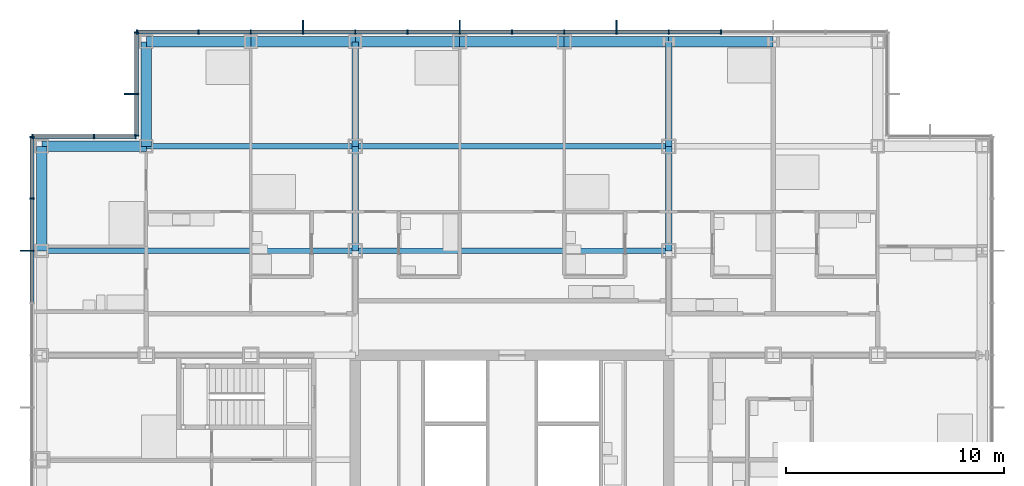
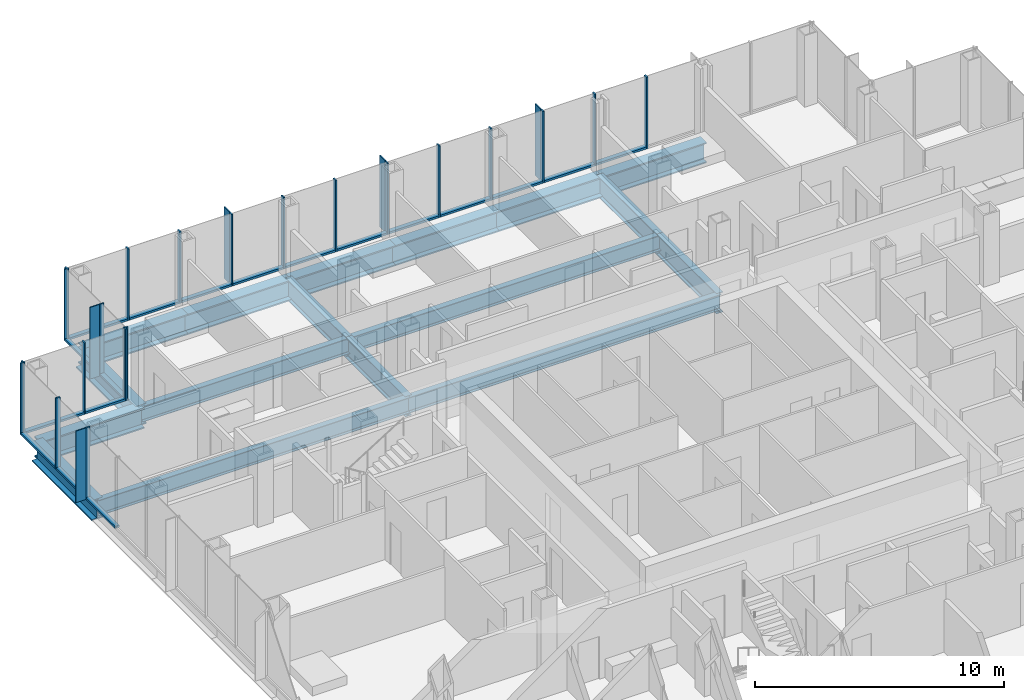
# One storey, part 10 of 21: 44 members, 17 beams, 4 elements without a shape of their own.
"""IFC4 building model written with IfcOpenShell, lengths in metres."""

from ifc_helpers import new_model, si_unit, direction, frame, origin, origin_2d, place, context, subcontext, project, spatial, rectangle, i_section, extrude, material, material_profile, profile_set, type_object, element, aggregate, save


model = new_model("IFC4")

# Units and contexts
model_context = context("Model", 3, precision=1e-05, world=origin(), true_north=direction((0.0, 1.0)))
body_context = subcontext(model_context, "Body", "Model", "MODEL_VIEW")
ifc_project = project(units=[si_unit("LENGTHUNIT", "METRE"), si_unit("AREAUNIT", "SQUARE_METRE"), si_unit("VOLUMEUNIT", "CUBIC_METRE"), si_unit("PLANEANGLEUNIT", "RADIAN"), si_unit("MASSUNIT", "GRAM", prefix="KILO")], contexts=[model_context])

# Site, building, storey
site_placement = place(None, origin())
site = spatial("IfcSite", under=ifc_project, at=site_placement, CompositionType="ELEMENT")
building_placement = place(site_placement, origin())
building = spatial("IfcBuilding", under=site, at=building_placement, Name="Kvirike Care Tower", CompositionType="ELEMENT")
storey_placement = place(building_placement, frame((0.0, 0.0, 41.0)))
storey = spatial("IfcBuildingStorey", under=building, at=storey_placement, Name="L10", CompositionType="ELEMENT", Elevation=41.0)

# Curtain wall, member
ifc_material_1 = material(Name="Anodised aluminium stick system", Category="aluminium")
curtain_wall_type = type_object("IfcCurtainWallType", Name="CW-A STICK CURTAIN WALL", PredefinedType="NOTDEFINED", material=ifc_material_1)
curtain_wall_1_placement = place(storey_placement, origin())
curtain_wall_1 = element("IfcCurtainWall", 1, at=curtain_wall_1_placement, inside=storey, type_object=curtain_wall_type, Name="Curtain wall L10 face 1", PredefinedType="NOTDEFINED")
ifc_material_2 = material(Name="Bronze anodised aluminium fin", Category="aluminium")
ifc_material_profile_1 = material_profile(ifc_material_2, rectangle(XDim=0.050048828125, YDim=0.449951171875, at=origin_2d()), Name="BRONZE FIN 450")
ifc_profile_set_1 = profile_set([ifc_material_profile_1], Name="Bronze anodised aluminium fin")
member_type_1 = type_object("IfcMemberType", Name="BRONZE FIN 450", PredefinedType="USERDEFINED", material=ifc_profile_set_1)
member_1_placement = place(storey_placement, frame((-0.77490234375, 48.0, 0.0), z_axis=(0.0, 0.0, 1.0), x_axis=(0.0, -1.0, 0.0)))
member_1 = element("IfcMember", 2, at=member_1_placement, type_object=member_type_1, Name="Bronze fin L10 face 1.3", ObjectType="FIN", PredefinedType="USERDEFINED", context=body_context, shape_type="SweptSolid", body=[
    extrude(rectangle(XDim=0.050048828125, YDim=0.449951171875, at=origin_2d()), origin(), (0.0, 0.0, 1.0), 3.5),
])

# Curtain wall, members
curtain_wall_2_placement = place(storey_placement, origin())
curtain_wall_2 = element("IfcCurtainWall", 3, at=curtain_wall_2_placement, inside=storey, type_object=curtain_wall_type, Name="Curtain wall L10 face 10", PredefinedType="NOTDEFINED")
member_2_placement = place(storey_placement, frame((26.39990234375, 58.375, 0.0), z_axis=(0.0, 0.0, 1.0), x_axis=(-1.0, 0.0, 0.0)))
member_2 = element("IfcMember", 4, at=member_2_placement, type_object=member_type_1, Name="Bronze fin L10 face 10.6", ObjectType="FIN", PredefinedType="USERDEFINED", context=body_context, shape_type="SweptSolid", body=[
    extrude(rectangle(XDim=0.050048828125, YDim=0.449951171875, at=origin_2d()), origin(), (0.0, 0.0, 1.0), 3.5),
])
member_3_placement = place(storey_placement, frame((19.199951171875, 58.375, 0.0), z_axis=(0.0, 0.0, 1.0), x_axis=(-1.0, 0.0, 0.0)))
member_3 = element("IfcMember", 5, at=member_3_placement, type_object=member_type_1, Name="Bronze fin L10 face 10.9", ObjectType="FIN", PredefinedType="USERDEFINED", context=body_context, shape_type="SweptSolid", body=[
    extrude(rectangle(XDim=0.050048828125, YDim=0.449951171875, at=origin_2d()), origin(), (0.0, 0.0, 1.0), 3.5),
])
member_4_placement = place(storey_placement, frame((12.0, 58.375, 0.0), z_axis=(0.0, 0.0, 1.0), x_axis=(-1.0, 0.0, 0.0)))
member_4 = element("IfcMember", 6, at=member_4_placement, type_object=member_type_1, Name="Bronze fin L10 face 10.12", ObjectType="FIN", PredefinedType="USERDEFINED", context=body_context, shape_type="SweptSolid", body=[
    extrude(rectangle(XDim=0.050048828125, YDim=0.449951171875, at=origin_2d()), origin(), (0.0, 0.0, 1.0), 3.5),
])

# Curtain wall, member
curtain_wall_3_placement = place(storey_placement, origin())
curtain_wall_3 = element("IfcCurtainWall", 7, at=curtain_wall_3_placement, inside=storey, type_object=curtain_wall_type, Name="Curtain wall L10 face 11", PredefinedType="NOTDEFINED")
member_5_placement = place(storey_placement, frame((4.02490234375, 55.199951171875, 0.0), z_axis=(0.0, 0.0, 1.0), x_axis=(0.0, -1.0, 0.0)))
member_5 = element("IfcMember", 8, at=member_5_placement, type_object=member_type_1, Name="Bronze fin L10 face 11.2", ObjectType="FIN", PredefinedType="USERDEFINED", context=body_context, shape_type="SweptSolid", body=[
    extrude(rectangle(XDim=0.050048828125, YDim=0.449951171875, at=origin_2d()), origin(), (0.0, 0.0, 1.0), 3.5),
])

# Member
ifc_material_3 = material(Name="Bronze anodised aluminium mullion", Category="aluminium")
ifc_material_profile_2 = material_profile(ifc_material_3, rectangle(XDim=0.06494140625, YDim=0.199951171875, at=origin_2d()), Name="CW-A MULLION 65x200")
ifc_profile_set_2 = profile_set([ifc_material_profile_2], Name="Bronze anodised aluminium mullion")
member_type_2 = type_object("IfcMemberType", Name="CW-A MULLION 65x200", PredefinedType="MULLION", material=ifc_profile_set_2)
member_6_placement = place(storey_placement, frame((-0.449951171875, 53.217529296875, 0.0), z_axis=(0.0, 0.0, 1.0), x_axis=(0.0, -1.0, 0.0)))
member_6 = element("IfcMember", 9, at=member_6_placement, type_object=member_type_2, Name="CW-A mullion L10 face 1.1", PredefinedType="MULLION", context=body_context, shape_type="SweptSolid", body=[
    extrude(rectangle(XDim=0.06494140625, YDim=0.199951171875, at=origin_2d()), origin(), (0.0, 0.0, 1.0), 3.5),
])

member_7_placement = place(storey_placement, frame((-0.449951171875, 50.39990234375, 0.0), z_axis=(0.0, 0.0, 1.0), x_axis=(0.0, -1.0, 0.0)))
member_7 = element("IfcMember", 10, at=member_7_placement, type_object=member_type_2, Name="CW-A mullion L10 face 1.2", PredefinedType="MULLION", context=body_context, shape_type="SweptSolid", body=[
    extrude(rectangle(XDim=0.06494140625, YDim=0.199951171875, at=origin_2d()), origin(), (0.0, 0.0, 1.0), 3.5),
])

member_8_placement = place(storey_placement, frame((-0.449951171875, 48.0, 0.0), z_axis=(0.0, 0.0, 1.0), x_axis=(0.0, -1.0, 0.0)))
member_8 = element("IfcMember", 11, at=member_8_placement, type_object=member_type_2, Name="CW-A mullion L10 face 1.3", PredefinedType="MULLION", context=body_context, shape_type="SweptSolid", body=[
    extrude(rectangle(XDim=0.06494140625, YDim=0.199951171875, at=origin_2d()), origin(), (0.0, 0.0, 1.0), 3.5),
])

member_9_placement = place(storey_placement, frame((31.199951171875, 58.050048828125, 0.0), z_axis=(0.0, 0.0, 1.0), x_axis=(-1.0, 0.0, 0.0)))
member_9 = element("IfcMember", 12, at=member_9_placement, type_object=member_type_2, Name="CW-A mullion L10 face 10.4", PredefinedType="MULLION", context=body_context, shape_type="SweptSolid", body=[
    extrude(rectangle(XDim=0.06494140625, YDim=0.199951171875, at=origin_2d()), origin(), (0.0, 0.0, 1.0), 3.5),
])

member_10_placement = place(storey_placement, frame((28.800048828125, 58.050048828125, 0.0), z_axis=(0.0, 0.0, 1.0), x_axis=(-1.0, 0.0, 0.0)))
member_10 = element("IfcMember", 13, at=member_10_placement, type_object=member_type_2, Name="CW-A mullion L10 face 10.5", PredefinedType="MULLION", context=body_context, shape_type="SweptSolid", body=[
    extrude(rectangle(XDim=0.06494140625, YDim=0.199951171875, at=origin_2d()), origin(), (0.0, 0.0, 1.0), 3.5),
])

member_11_placement = place(storey_placement, frame((26.39990234375, 58.050048828125, 0.0), z_axis=(0.0, 0.0, 1.0), x_axis=(-1.0, 0.0, 0.0)))
member_11 = element("IfcMember", 14, at=member_11_placement, type_object=member_type_2, Name="CW-A mullion L10 face 10.6", PredefinedType="MULLION", context=body_context, shape_type="SweptSolid", body=[
    extrude(rectangle(XDim=0.06494140625, YDim=0.199951171875, at=origin_2d()), origin(), (0.0, 0.0, 1.0), 3.5),
])

member_12_placement = place(storey_placement, frame((24.0, 58.050048828125, 0.0), z_axis=(0.0, 0.0, 1.0), x_axis=(-1.0, 0.0, 0.0)))
member_12 = element("IfcMember", 15, at=member_12_placement, type_object=member_type_2, Name="CW-A mullion L10 face 10.7", PredefinedType="MULLION", context=body_context, shape_type="SweptSolid", body=[
    extrude(rectangle(XDim=0.06494140625, YDim=0.199951171875, at=origin_2d()), origin(), (0.0, 0.0, 1.0), 3.5),
])

member_13_placement = place(storey_placement, frame((21.60009765625, 58.050048828125, 0.0), z_axis=(0.0, 0.0, 1.0), x_axis=(-1.0, 0.0, 0.0)))
member_13 = element("IfcMember", 16, at=member_13_placement, type_object=member_type_2, Name="CW-A mullion L10 face 10.8", PredefinedType="MULLION", context=body_context, shape_type="SweptSolid", body=[
    extrude(rectangle(XDim=0.06494140625, YDim=0.199951171875, at=origin_2d()), origin(), (0.0, 0.0, 1.0), 3.5),
])

member_14_placement = place(storey_placement, frame((19.199951171875, 58.050048828125, 0.0), z_axis=(0.0, 0.0, 1.0), x_axis=(-1.0, 0.0, 0.0)))
member_14 = element("IfcMember", 17, at=member_14_placement, type_object=member_type_2, Name="CW-A mullion L10 face 10.9", PredefinedType="MULLION", context=body_context, shape_type="SweptSolid", body=[
    extrude(rectangle(XDim=0.06494140625, YDim=0.199951171875, at=origin_2d()), origin(), (0.0, 0.0, 1.0), 3.5),
])

member_15_placement = place(storey_placement, frame((16.800048828125, 58.050048828125, 0.0), z_axis=(0.0, 0.0, 1.0), x_axis=(-1.0, 0.0, 0.0)))
member_15 = element("IfcMember", 18, at=member_15_placement, type_object=member_type_2, Name="CW-A mullion L10 face 10.10", PredefinedType="MULLION", context=body_context, shape_type="SweptSolid", body=[
    extrude(rectangle(XDim=0.06494140625, YDim=0.199951171875, at=origin_2d()), origin(), (0.0, 0.0, 1.0), 3.5),
])

member_16_placement = place(storey_placement, frame((14.39990234375, 58.050048828125, 0.0), z_axis=(0.0, 0.0, 1.0), x_axis=(-1.0, 0.0, 0.0)))
member_16 = element("IfcMember", 19, at=member_16_placement, type_object=member_type_2, Name="CW-A mullion L10 face 10.11", PredefinedType="MULLION", context=body_context, shape_type="SweptSolid", body=[
    extrude(rectangle(XDim=0.06494140625, YDim=0.199951171875, at=origin_2d()), origin(), (0.0, 0.0, 1.0), 3.5),
])

member_17_placement = place(storey_placement, frame((12.0, 58.050048828125, 0.0), z_axis=(0.0, 0.0, 1.0), x_axis=(-1.0, 0.0, 0.0)))
member_17 = element("IfcMember", 20, at=member_17_placement, type_object=member_type_2, Name="CW-A mullion L10 face 10.12", PredefinedType="MULLION", context=body_context, shape_type="SweptSolid", body=[
    extrude(rectangle(XDim=0.06494140625, YDim=0.199951171875, at=origin_2d()), origin(), (0.0, 0.0, 1.0), 3.5),
])

member_18_placement = place(storey_placement, frame((9.60009765625, 58.050048828125, 0.0), z_axis=(0.0, 0.0, 1.0), x_axis=(-1.0, 0.0, 0.0)))
member_18 = element("IfcMember", 21, at=member_18_placement, type_object=member_type_2, Name="CW-A mullion L10 face 10.13", PredefinedType="MULLION", context=body_context, shape_type="SweptSolid", body=[
    extrude(rectangle(XDim=0.06494140625, YDim=0.199951171875, at=origin_2d()), origin(), (0.0, 0.0, 1.0), 3.5),
])

member_19_placement = place(storey_placement, frame((7.199951171875, 58.050048828125, 0.0), z_axis=(0.0, 0.0, 1.0), x_axis=(-1.0, 0.0, 0.0)))
member_19 = element("IfcMember", 22, at=member_19_placement, type_object=member_type_2, Name="CW-A mullion L10 face 10.14", PredefinedType="MULLION", context=body_context, shape_type="SweptSolid", body=[
    extrude(rectangle(XDim=0.06494140625, YDim=0.199951171875, at=origin_2d()), origin(), (0.0, 0.0, 1.0), 3.5),
])

member_20_placement = place(storey_placement, frame((4.382568359375, 58.050048828125, 0.0), z_axis=(0.0, 0.0, 1.0), x_axis=(-1.0, 0.0, 0.0)))
member_20 = element("IfcMember", 23, at=member_20_placement, type_object=member_type_2, Name="CW-A mullion L10 face 10.15", PredefinedType="MULLION", context=body_context, shape_type="SweptSolid", body=[
    extrude(rectangle(XDim=0.06494140625, YDim=0.199951171875, at=origin_2d()), origin(), (0.0, 0.0, 1.0), 3.5),
])

member_21_placement = place(storey_placement, frame((4.35009765625, 58.017578125, 0.0), z_axis=(0.0, 0.0, 1.0), x_axis=(0.0, -1.0, 0.0)))
member_21 = element("IfcMember", 24, at=member_21_placement, type_object=member_type_2, Name="CW-A mullion L10 face 11.1", PredefinedType="MULLION", context=body_context, shape_type="SweptSolid", body=[
    extrude(rectangle(XDim=0.06494140625, YDim=0.199951171875, at=origin_2d()), origin(), (0.0, 0.0, 1.0), 3.5),
])

member_22_placement = place(storey_placement, frame((4.35009765625, 55.199951171875, 0.0), z_axis=(0.0, 0.0, 1.0), x_axis=(0.0, -1.0, 0.0)))
member_22 = element("IfcMember", 25, at=member_22_placement, type_object=member_type_2, Name="CW-A mullion L10 face 11.2", PredefinedType="MULLION", context=body_context, shape_type="SweptSolid", body=[
    extrude(rectangle(XDim=0.06494140625, YDim=0.199951171875, at=origin_2d()), origin(), (0.0, 0.0, 1.0), 3.5),
])

member_23_placement = place(storey_placement, frame((4.35009765625, 53.282470703125, 0.0), z_axis=(0.0, 0.0, 1.0), x_axis=(0.0, -1.0, 0.0)))
member_23 = element("IfcMember", 26, at=member_23_placement, type_object=member_type_2, Name="CW-A mullion L10 face 11.3", PredefinedType="MULLION", context=body_context, shape_type="SweptSolid", body=[
    extrude(rectangle(XDim=0.06494140625, YDim=0.199951171875, at=origin_2d()), origin(), (0.0, 0.0, 1.0), 3.5),
])

# Curtain wall, members
curtain_wall_4_placement = place(storey_placement, origin())
curtain_wall_4 = element("IfcCurtainWall", 27, at=curtain_wall_4_placement, inside=storey, type_object=curtain_wall_type, Name="Curtain wall L10 face 12", PredefinedType="NOTDEFINED")
member_24_placement = place(storey_placement, frame((4.3173828125, 53.25, 0.0), z_axis=(0.0, 0.0, 1.0), x_axis=(-1.0, 0.0, 0.0)))
member_24 = element("IfcMember", 28, at=member_24_placement, type_object=member_type_2, Name="CW-A mullion L10 face 12.1", PredefinedType="MULLION", context=body_context, shape_type="SweptSolid", body=[
    extrude(rectangle(XDim=0.06494140625, YDim=0.199951171875, at=origin_2d()), origin(), (0.0, 0.0, 1.0), 3.5),
])
member_25_placement = place(storey_placement, frame((2.39990234375, 53.25, 0.0), z_axis=(0.0, 0.0, 1.0), x_axis=(-1.0, 0.0, 0.0)))
member_25 = element("IfcMember", 29, at=member_25_placement, type_object=member_type_2, Name="CW-A mullion L10 face 12.2", PredefinedType="MULLION", context=body_context, shape_type="SweptSolid", body=[
    extrude(rectangle(XDim=0.06494140625, YDim=0.199951171875, at=origin_2d()), origin(), (0.0, 0.0, 1.0), 3.5),
])
member_26_placement = place(storey_placement, frame((-0.41748046875, 53.25, 0.0), z_axis=(0.0, 0.0, 1.0), x_axis=(-1.0, 0.0, 0.0)))
member_26 = element("IfcMember", 30, at=member_26_placement, type_object=member_type_2, Name="CW-A mullion L10 face 12.3", PredefinedType="MULLION", context=body_context, shape_type="SweptSolid", body=[
    extrude(rectangle(XDim=0.06494140625, YDim=0.199951171875, at=origin_2d()), origin(), (0.0, 0.0, 1.0), 3.5),
])

# Member
ifc_material_4 = material(Name="Bronze anodised aluminium transom", Category="aluminium")
ifc_material_profile_3 = material_profile(ifc_material_4, rectangle(XDim=0.199951171875, YDim=0.10009765625, at=origin_2d()), Name="CW-A TRANSOM 200x100")
ifc_profile_set_3 = profile_set([ifc_material_profile_3], Name="Bronze anodised aluminium transom")
member_type_3 = type_object("IfcMemberType", Name="CW-A TRANSOM 200x100", PredefinedType="USERDEFINED", material=ifc_profile_set_3)
member_27_placement = place(storey_placement, frame((-0.449951171875, 53.18505859375, 0.050048828125), z_axis=(0.0, -1.0, 0.0), x_axis=(1.0, 0.0, 0.0)))
member_27 = element("IfcMember", 31, at=member_27_placement, type_object=member_type_3, Name="CW-A sill transom L10 face 1.1", ObjectType="TRANSOM", PredefinedType="USERDEFINED", context=body_context, shape_type="SweptSolid", body=[
    extrude(rectangle(XDim=0.199951171875, YDim=0.10009765625, at=origin_2d()), origin(), (0.0, 0.0, 1.0), 2.75244140625),
])

member_28_placement = place(storey_placement, frame((-0.449951171875, 50.367431640625, 0.050048828125), z_axis=(0.0, -1.0, 0.0), x_axis=(1.0, 0.0, 0.0)))
member_28 = element("IfcMember", 32, at=member_28_placement, type_object=member_type_3, Name="CW-A sill transom L10 face 1.2", ObjectType="TRANSOM", PredefinedType="USERDEFINED", context=body_context, shape_type="SweptSolid", body=[
    extrude(rectangle(XDim=0.199951171875, YDim=0.10009765625, at=origin_2d()), origin(), (0.0, 0.0, 1.0), 2.3349609375),
])

member_29_placement = place(storey_placement, frame((-0.449951171875, 47.967529296875, 0.050048828125), z_axis=(0.0, -1.0, 0.0), x_axis=(1.0, 0.0, 0.0)))
member_29 = element("IfcMember", 33, at=member_29_placement, type_object=member_type_3, Name="CW-A sill transom L10 face 1.3", ObjectType="TRANSOM", PredefinedType="USERDEFINED", context=body_context, shape_type="SweptSolid", body=[
    extrude(rectangle(XDim=0.199951171875, YDim=0.10009765625, at=origin_2d()), origin(), (0.0, 0.0, 1.0), 2.3349609375),
])

aggregate(curtain_wall_1, [member_6, member_7, member_8, member_1, member_27, member_28, member_29])

member_30_placement = place(storey_placement, frame((31.16748046875, 58.050048828125, 0.050048828125), z_axis=(-1.0, 0.0, 0.0), x_axis=(0.0, -1.0, 0.0)))
member_30 = element("IfcMember", 34, at=member_30_placement, type_object=member_type_3, Name="CW-A sill transom L10 face 10.4", ObjectType="TRANSOM", PredefinedType="USERDEFINED", context=body_context, shape_type="SweptSolid", body=[
    extrude(rectangle(XDim=0.199951171875, YDim=0.10009765625, at=origin_2d()), origin(), (0.0, 0.0, 1.0), 2.3349609375),
])

member_31_placement = place(storey_placement, frame((28.767578125, 58.050048828125, 0.050048828125), z_axis=(-1.0, 0.0, 0.0), x_axis=(0.0, -1.0, 0.0)))
member_31 = element("IfcMember", 35, at=member_31_placement, type_object=member_type_3, Name="CW-A sill transom L10 face 10.5", ObjectType="TRANSOM", PredefinedType="USERDEFINED", context=body_context, shape_type="SweptSolid", body=[
    extrude(rectangle(XDim=0.199951171875, YDim=0.10009765625, at=origin_2d()), origin(), (0.0, 0.0, 1.0), 2.3349609375),
])

member_32_placement = place(storey_placement, frame((26.367431640625, 58.050048828125, 0.050048828125), z_axis=(-1.0, 0.0, 0.0), x_axis=(0.0, -1.0, 0.0)))
member_32 = element("IfcMember", 36, at=member_32_placement, type_object=member_type_3, Name="CW-A sill transom L10 face 10.6", ObjectType="TRANSOM", PredefinedType="USERDEFINED", context=body_context, shape_type="SweptSolid", body=[
    extrude(rectangle(XDim=0.199951171875, YDim=0.10009765625, at=origin_2d()), origin(), (0.0, 0.0, 1.0), 2.3349609375),
])

member_33_placement = place(storey_placement, frame((23.967529296875, 58.050048828125, 0.050048828125), z_axis=(-1.0, 0.0, 0.0), x_axis=(0.0, -1.0, 0.0)))
member_33 = element("IfcMember", 37, at=member_33_placement, type_object=member_type_3, Name="CW-A sill transom L10 face 10.7", ObjectType="TRANSOM", PredefinedType="USERDEFINED", context=body_context, shape_type="SweptSolid", body=[
    extrude(rectangle(XDim=0.199951171875, YDim=0.10009765625, at=origin_2d()), origin(), (0.0, 0.0, 1.0), 2.3349609375),
])

member_34_placement = place(storey_placement, frame((21.5673828125, 58.050048828125, 0.050048828125), z_axis=(-1.0, 0.0, 0.0), x_axis=(0.0, -1.0, 0.0)))
member_34 = element("IfcMember", 38, at=member_34_placement, type_object=member_type_3, Name="CW-A sill transom L10 face 10.8", ObjectType="TRANSOM", PredefinedType="USERDEFINED", context=body_context, shape_type="SweptSolid", body=[
    extrude(rectangle(XDim=0.199951171875, YDim=0.10009765625, at=origin_2d()), origin(), (0.0, 0.0, 1.0), 2.3349609375),
])

member_35_placement = place(storey_placement, frame((19.16748046875, 58.050048828125, 0.050048828125), z_axis=(-1.0, 0.0, 0.0), x_axis=(0.0, -1.0, 0.0)))
member_35 = element("IfcMember", 39, at=member_35_placement, type_object=member_type_3, Name="CW-A sill transom L10 face 10.9", ObjectType="TRANSOM", PredefinedType="USERDEFINED", context=body_context, shape_type="SweptSolid", body=[
    extrude(rectangle(XDim=0.199951171875, YDim=0.10009765625, at=origin_2d()), origin(), (0.0, 0.0, 1.0), 2.3349609375),
])

member_36_placement = place(storey_placement, frame((16.767578125, 58.050048828125, 0.050048828125), z_axis=(-1.0, 0.0, 0.0), x_axis=(0.0, -1.0, 0.0)))
member_36 = element("IfcMember", 40, at=member_36_placement, type_object=member_type_3, Name="CW-A sill transom L10 face 10.10", ObjectType="TRANSOM", PredefinedType="USERDEFINED", context=body_context, shape_type="SweptSolid", body=[
    extrude(rectangle(XDim=0.199951171875, YDim=0.10009765625, at=origin_2d()), origin(), (0.0, 0.0, 1.0), 2.3349609375),
])

member_37_placement = place(storey_placement, frame((14.367431640625, 58.050048828125, 0.050048828125), z_axis=(-1.0, 0.0, 0.0), x_axis=(0.0, -1.0, 0.0)))
member_37 = element("IfcMember", 41, at=member_37_placement, type_object=member_type_3, Name="CW-A sill transom L10 face 10.11", ObjectType="TRANSOM", PredefinedType="USERDEFINED", context=body_context, shape_type="SweptSolid", body=[
    extrude(rectangle(XDim=0.199951171875, YDim=0.10009765625, at=origin_2d()), origin(), (0.0, 0.0, 1.0), 2.3349609375),
])

member_38_placement = place(storey_placement, frame((11.967529296875, 58.050048828125, 0.050048828125), z_axis=(-1.0, 0.0, 0.0), x_axis=(0.0, -1.0, 0.0)))
member_38 = element("IfcMember", 42, at=member_38_placement, type_object=member_type_3, Name="CW-A sill transom L10 face 10.12", ObjectType="TRANSOM", PredefinedType="USERDEFINED", context=body_context, shape_type="SweptSolid", body=[
    extrude(rectangle(XDim=0.199951171875, YDim=0.10009765625, at=origin_2d()), origin(), (0.0, 0.0, 1.0), 2.3349609375),
])

member_39_placement = place(storey_placement, frame((9.5673828125, 58.050048828125, 0.050048828125), z_axis=(-1.0, 0.0, 0.0), x_axis=(0.0, -1.0, 0.0)))
member_39 = element("IfcMember", 43, at=member_39_placement, type_object=member_type_3, Name="CW-A sill transom L10 face 10.13", ObjectType="TRANSOM", PredefinedType="USERDEFINED", context=body_context, shape_type="SweptSolid", body=[
    extrude(rectangle(XDim=0.199951171875, YDim=0.10009765625, at=origin_2d()), origin(), (0.0, 0.0, 1.0), 2.3349609375),
])

member_40_placement = place(storey_placement, frame((7.16748046875, 58.050048828125, 0.050048828125), z_axis=(-1.0, 0.0, 0.0), x_axis=(0.0, -1.0, 0.0)))
member_40 = element("IfcMember", 44, at=member_40_placement, type_object=member_type_3, Name="CW-A sill transom L10 face 10.14", ObjectType="TRANSOM", PredefinedType="USERDEFINED", context=body_context, shape_type="SweptSolid", body=[
    extrude(rectangle(XDim=0.199951171875, YDim=0.10009765625, at=origin_2d()), origin(), (0.0, 0.0, 1.0), 2.75244140625),
])

aggregate(curtain_wall_2, [member_9, member_10, member_11, member_2, member_12, member_13, member_14, member_3, member_15, member_16, member_17, member_4, member_18, member_19, member_20, member_30, member_31, member_32, member_33, member_34, member_35, member_36, member_37, member_38, member_39, member_40])

member_41_placement = place(storey_placement, frame((4.35009765625, 57.985107421875, 0.050048828125), z_axis=(0.0, -1.0, 0.0), x_axis=(1.0, 0.0, 0.0)))
member_41 = element("IfcMember", 45, at=member_41_placement, type_object=member_type_3, Name="CW-A sill transom L10 face 11.1", ObjectType="TRANSOM", PredefinedType="USERDEFINED", context=body_context, shape_type="SweptSolid", body=[
    extrude(rectangle(XDim=0.199951171875, YDim=0.10009765625, at=origin_2d()), origin(), (0.0, 0.0, 1.0), 2.752685546875),
])

member_42_placement = place(storey_placement, frame((4.35009765625, 55.16748046875, 0.050048828125), z_axis=(0.0, -1.0, 0.0), x_axis=(1.0, 0.0, 0.0)))
member_42 = element("IfcMember", 46, at=member_42_placement, type_object=member_type_3, Name="CW-A sill transom L10 face 11.2", ObjectType="TRANSOM", PredefinedType="USERDEFINED", context=body_context, shape_type="SweptSolid", body=[
    extrude(rectangle(XDim=0.199951171875, YDim=0.10009765625, at=origin_2d()), origin(), (0.0, 0.0, 1.0), 1.8525390625),
])

aggregate(curtain_wall_3, [member_21, member_22, member_5, member_23, member_41, member_42])

member_43_placement = place(storey_placement, frame((4.284912109375, 53.25, 0.050048828125), z_axis=(-1.0, 0.0, 0.0), x_axis=(0.0, -1.0, 0.0)))
member_43 = element("IfcMember", 47, at=member_43_placement, type_object=member_type_3, Name="CW-A sill transom L10 face 12.1", ObjectType="TRANSOM", PredefinedType="USERDEFINED", context=body_context, shape_type="SweptSolid", body=[
    extrude(rectangle(XDim=0.199951171875, YDim=0.10009765625, at=origin_2d()), origin(), (0.0, 0.0, 1.0), 1.852294921875),
])

member_44_placement = place(storey_placement, frame((2.367431640625, 53.25, 0.050048828125), z_axis=(-1.0, 0.0, 0.0), x_axis=(0.0, -1.0, 0.0)))
member_44 = element("IfcMember", 48, at=member_44_placement, type_object=member_type_3, Name="CW-A sill transom L10 face 12.2", ObjectType="TRANSOM", PredefinedType="USERDEFINED", context=body_context, shape_type="SweptSolid", body=[
    extrude(rectangle(XDim=0.199951171875, YDim=0.10009765625, at=origin_2d()), origin(), (0.0, 0.0, 1.0), 2.75244140625),
])

aggregate(curtain_wall_4, [member_24, member_25, member_26, member_43, member_44])

# Beams
ifc_material_5 = material(Name="Steel S355", Category="steel")
ifc_material_profile_4 = material_profile(ifc_material_5, i_section(OverallWidth=0.26806640625, OverallDepth=0.77001953125, WebThickness=0.015625, FlangeThickness=0.025390625, FilletRadius=0.01708984375, at=origin_2d()), Name="IPE 750x196")
ifc_profile_set_4 = profile_set([ifc_material_profile_4], Name="Steel S355")
beam_type_1 = type_object("IfcBeamType", Name="FLOOR BEAM IPE 750x196", PredefinedType="BEAM", material=ifc_profile_set_4)
beam_1_placement = place(storey_placement, frame((0.0, 48.0, -0.554931640625), z_axis=(1.0, 0.0, 0.0), x_axis=(0.0, 1.0, 0.0)))
element("IfcBeam", 49, at=beam_1_placement, inside=storey, type_object=beam_type_1, Name="Floor Beam L3-L6 L10", PredefinedType="BEAM", context=body_context, shape_type="SweptSolid", body=[
    extrude(i_section(OverallWidth=0.26806640625, OverallDepth=0.77001953125, WebThickness=0.015625, FlangeThickness=0.025390625, FilletRadius=0.01708984375, at=origin_2d()), origin(), (0.0, 0.0, 1.0), 14.39990234375),
])
beam_2_placement = place(storey_placement, frame((14.39990234375, 48.0, -0.554931640625), z_axis=(1.0, 0.0, 0.0), x_axis=(0.0, 1.0, 0.0)))
element("IfcBeam", 50, at=beam_2_placement, inside=storey, type_object=beam_type_1, Name="Floor Beam L6-L9 L10", PredefinedType="BEAM", context=body_context, shape_type="SweptSolid", body=[
    extrude(i_section(OverallWidth=0.26806640625, OverallDepth=0.77001953125, WebThickness=0.015625, FlangeThickness=0.025390625, FilletRadius=0.01708984375, at=origin_2d()), origin(), (0.0, 0.0, 1.0), 14.400146484375),
])
beam_3_placement = place(storey_placement, frame((4.800048828125, 52.800048828125, -0.554931640625), z_axis=(1.0, 0.0, 0.0), x_axis=(0.0, 1.0, 0.0)))
element("IfcBeam", 51, at=beam_3_placement, inside=storey, type_object=beam_type_1, Name="Floor Beam M4-M6 L10", PredefinedType="BEAM", context=body_context, shape_type="SweptSolid", body=[
    extrude(i_section(OverallWidth=0.26806640625, OverallDepth=0.77001953125, WebThickness=0.015625, FlangeThickness=0.025390625, FilletRadius=0.01708984375, at=origin_2d()), origin(), (0.0, 0.0, 1.0), 9.599853515625),
])
beam_4_placement = place(storey_placement, frame((14.39990234375, 52.800048828125, -0.554931640625), z_axis=(1.0, 0.0, 0.0), x_axis=(0.0, 1.0, 0.0)))
element("IfcBeam", 52, at=beam_4_placement, inside=storey, type_object=beam_type_1, Name="Floor Beam M6-M9 L10", PredefinedType="BEAM", context=body_context, shape_type="SweptSolid", body=[
    extrude(i_section(OverallWidth=0.26806640625, OverallDepth=0.77001953125, WebThickness=0.015625, FlangeThickness=0.025390625, FilletRadius=0.01708984375, at=origin_2d()), origin(), (0.0, 0.0, 1.0), 14.400146484375),
])
ifc_material_6 = material(Name="Steel S355", Category="steel")
ifc_material_profile_5 = material_profile(ifc_material_6, i_section(OverallWidth=0.300048828125, OverallDepth=1.0, WebThickness=0.01904296875, FlangeThickness=0.035888671875, FilletRadius=0.030029296875, at=origin_2d()), Name="HE 1000 B")
ifc_profile_set_5 = profile_set([ifc_material_profile_5], Name="Steel S355")
beam_type_2 = type_object("IfcBeamType", Name="FRAME BEAM HE 1000 B", PredefinedType="BEAM", material=ifc_profile_set_5)
for number, where, z_axis, x_axis, name in (
    (53, (14.39990234375, 48.0, -0.669921875), (0.0, 1.0, 0.0), (-1.0, 0.0, 0.0), "Frame Beam L6-M6 L10"),
    (54, (14.39990234375, 52.800048828125, -0.669921875), (0.0, 1.0, 0.0), (-1.0, 0.0, 0.0), "Frame Beam M6-N6 L10"),
    (55, (28.800048828125, 48.0, -0.669921875), (0.0, 1.0, 0.0), (-1.0, 0.0, 0.0), "Frame Beam L9-M9 L10"),
    (56, (28.800048828125, 52.800048828125, -0.669921875), (0.0, 1.0, 0.0), (-1.0, 0.0, 0.0), "Frame Beam M9-N9 L10"),
):
    element("IfcBeam", number, at=place(storey_placement, frame(where, z_axis=z_axis, x_axis=x_axis)), inside=storey, type_object=beam_type_2, Name=name, PredefinedType="BEAM", context=body_context, shape_type="SweptSolid", body=[
        extrude(i_section(OverallWidth=0.300048828125, OverallDepth=1.0, WebThickness=0.01904296875, FlangeThickness=0.035888671875, FilletRadius=0.030029296875, at=origin_2d()), origin(), (0.0, 0.0, 1.0), 4.800048828125),
    ])
ifc_material_7 = material(Name="Steel S355", Category="steel")
ifc_material_profile_6 = material_profile(ifc_material_7, i_section(OverallWidth=0.5, OverallDepth=1.0, WebThickness=0.030029296875, FlangeThickness=0.06005859375, at=origin_2d()), Name="PG 1000x500x30x60")
ifc_profile_set_6 = profile_set([ifc_material_profile_6], Name="Steel S355")
beam_type_3 = type_object("IfcBeamType", Name="SPANDREL PG 1000x500x30x60", PredefinedType="SPANDREL", material=ifc_profile_set_6)
for number, where, z_axis, x_axis, name in (
    (57, (0.0, 52.800048828125, -0.669921875), (1.0, 0.0, 0.0), (0.0, 1.0, 0.0), "Spandrel M3-M4 L10"),
    (58, (4.800048828125, 57.60009765625, -0.669921875), (1.0, 0.0, 0.0), (0.0, 1.0, 0.0), "Spandrel N4-N5 L10"),
):
    element("IfcBeam", number, at=place(storey_placement, frame(where, z_axis=z_axis, x_axis=x_axis)), inside=storey, type_object=beam_type_3, Name=name, PredefinedType="SPANDREL", context=body_context, shape_type="SweptSolid", body=[
        extrude(i_section(OverallWidth=0.5, OverallDepth=1.0, WebThickness=0.030029296875, FlangeThickness=0.06005859375, at=origin_2d()), origin(), (0.0, 0.0, 1.0), 4.800048828125),
    ])
beam_5_placement = place(storey_placement, frame((9.60009765625, 57.60009765625, -0.669921875), z_axis=(1.0, 0.0, 0.0), x_axis=(0.0, 1.0, 0.0)))
element("IfcBeam", 59, at=beam_5_placement, inside=storey, type_object=beam_type_3, Name="Spandrel N5-N6 L10", PredefinedType="SPANDREL", context=body_context, shape_type="SweptSolid", body=[
    extrude(i_section(OverallWidth=0.5, OverallDepth=1.0, WebThickness=0.030029296875, FlangeThickness=0.06005859375, at=origin_2d()), origin(), (0.0, 0.0, 1.0), 4.7998046875),
])
for number, where, z_axis, x_axis, name in (
    (60, (14.39990234375, 57.60009765625, -0.669921875), (1.0, 0.0, 0.0), (0.0, 1.0, 0.0), "Spandrel N6-N7 L10"),
    (61, (19.199951171875, 57.60009765625, -0.669921875), (1.0, 0.0, 0.0), (0.0, 1.0, 0.0), "Spandrel N7-N8 L10"),
    (62, (24.0, 57.60009765625, -0.669921875), (1.0, 0.0, 0.0), (0.0, 1.0, 0.0), "Spandrel N8-N9 L10"),
    (63, (28.800048828125, 57.60009765625, -0.669921875), (1.0, 0.0, 0.0), (0.0, 1.0, 0.0), "Spandrel N9-N10 L10"),
    (64, (0.0, 48.0, -0.669921875), (0.0, 1.0, 0.0), (-1.0, 0.0, 0.0), "Spandrel L3-M3 L10"),
    (65, (4.800048828125, 52.800048828125, -0.669921875), (0.0, 1.0, 0.0), (-1.0, 0.0, 0.0), "Spandrel M4-N4 L10"),
):
    element("IfcBeam", number, at=place(storey_placement, frame(where, z_axis=z_axis, x_axis=x_axis)), inside=storey, type_object=beam_type_3, Name=name, PredefinedType="SPANDREL", context=body_context, shape_type="SweptSolid", body=[
        extrude(i_section(OverallWidth=0.5, OverallDepth=1.0, WebThickness=0.030029296875, FlangeThickness=0.06005859375, at=origin_2d()), origin(), (0.0, 0.0, 1.0), 4.800048828125),
    ])

save(model, "model.ifc")
